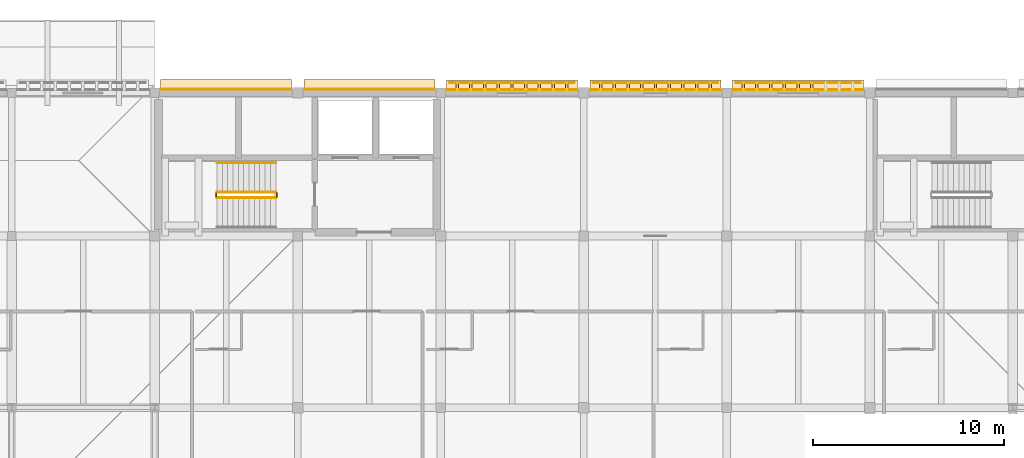
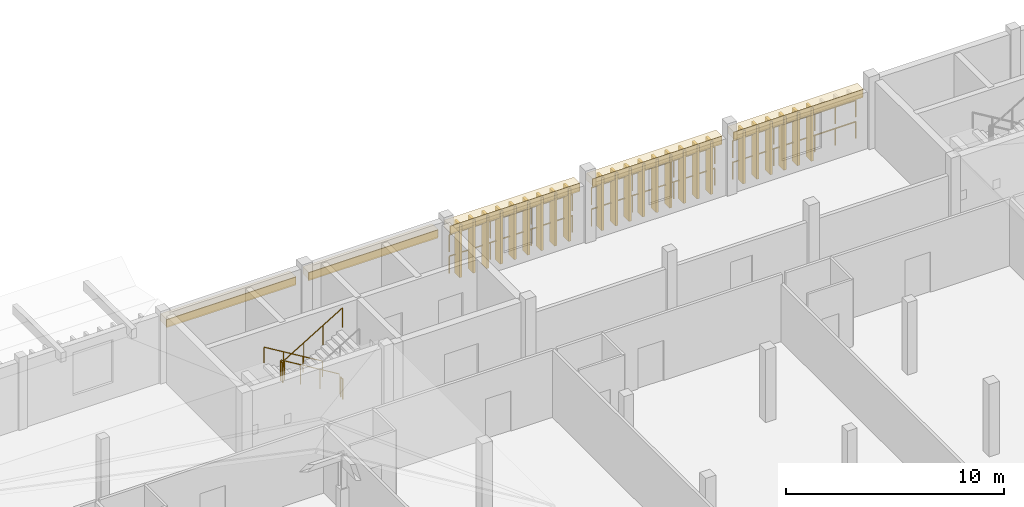
# One storey, part 43 of 48: 34 coverings, 11 railings.
"""IFC4 building model written with IfcOpenShell, lengths in metres."""

from ifc_helpers import new_model, si_unit, direction, frame, origin, origin_2d, place, context, subcontext, project, spatial, rectangle, circle, extrude, material, layer, layer_set, type_object, element, save


model = new_model("IFC4")

# Units and contexts
model_context = context("Model", 3, precision=1e-05, world=origin(), true_north=direction((0.0, 1.0)))
body_context = subcontext(model_context, "Body", "Model", "MODEL_VIEW")
ifc_project = project(units=[si_unit("LENGTHUNIT", "METRE"), si_unit("AREAUNIT", "SQUARE_METRE"), si_unit("VOLUMEUNIT", "CUBIC_METRE"), si_unit("PLANEANGLEUNIT", "RADIAN"), si_unit("MASSUNIT", "GRAM", prefix="KILO")], contexts=[model_context])

# Site, building, storey
site_placement = place(None, origin())
site = spatial("IfcSite", under=ifc_project, at=site_placement, CompositionType="ELEMENT")
building_placement = place(site_placement, origin())
building = spatial("IfcBuilding", under=site, at=building_placement, Name="Dalvernix Boulevard General Hospital", CompositionType="ELEMENT")
storey_placement = place(building_placement, frame((0.0, 0.0, 17.85009765625)))
storey = spatial("IfcBuildingStorey", under=building, at=storey_placement, Name="L04", CompositionType="ELEMENT", Elevation=17.85009765625)

# Coverings
ifc_material_1 = material(Name="Polychrome Catalan glazed ceramic spandrel tile panel")
ifc_layer_1 = layer(ifc_material_1, 0.044921875)
ifc_layer_set_1 = layer_set([ifc_layer_1], Name="Polychrome Catalan glazed ceramic spandrel tile panel (COV-CLD-01)")
covering_type_1 = type_object("IfcCoveringType", Name="COV-CLD-01", PredefinedType="CLADDING", material=ifc_layer_set_1)
for number, where, z_axis, x_axis, name in (
    (1, (63.737548828125, 117.195068359375, 2.69482421875), (0.0, 0.0, 1.0), (1.0, 0.0, 0.0), "L04 polychrome ceramic spandrel N 8-15"),
    (2, (71.262451171875, 117.195068359375, 2.69482421875), (0.0, 0.0, 1.0), (1.0, 0.0, 0.0), "L04 polychrome ceramic spandrel N 9-15"),
    (3, (78.737548828125, 117.169921875, 2.69482421875), (0.0, 0.0, 1.0), (1.0, 0.0, 0.0), "L04 polychrome ceramic spandrel N 10-15"),
    (4, (86.262451171875, 117.169921875, 2.69482421875), (0.0, 0.0, 1.0), (1.0, 0.0, 0.0), "L04 polychrome ceramic spandrel N 11-15"),
    (5, (93.737548828125, 117.169921875, 2.69482421875), (0.0, 0.0, 1.0), (1.0, 0.0, 0.0), "L04 polychrome ceramic spandrel N 12-15"),
):
    element("IfcCovering", number, at=place(storey_placement, frame(where, z_axis=z_axis, x_axis=x_axis)), inside=storey, type_object=covering_type_1, Name=name, PredefinedType="CLADDING", context=body_context, shape_type="SweptSolid", body=[
        extrude(rectangle(XDim=6.85498046875, YDim=0.044921875, at=origin_2d()), origin(), (0.0, 0.0, 1.0), 0.449951171875),
    ])
ifc_material_2 = material(Name="Dressed ochre limestone classical plinth, stringcourse and corbelled cornice", Category="masonry")
ifc_layer_2 = layer(ifc_material_2, 0.449951171875)
ifc_layer_set_2 = layer_set([ifc_layer_2], Name="Dressed ochre limestone classical plinth, stringcourse and corbelled cornice (COV-CRN-01)")
covering_type_2 = type_object("IfcCoveringType", Name="COV-CRN-01", PredefinedType="CLADDING", material=ifc_layer_set_2)
for number, where, z_axis, x_axis, name in (
    (6, (63.737548828125, 117.43505859375, 2.77001953125), (0.0, 0.0, 1.0), (1.0, 0.0, 0.0), "L04 classical corbelled cornice frieze N 8-15"),
    (7, (71.262451171875, 117.43505859375, 2.77001953125), (0.0, 0.0, 1.0), (1.0, 0.0, 0.0), "L04 classical corbelled cornice frieze N 9-15"),
    (8, (78.737548828125, 117.409912109375, 2.77001953125), (0.0, 0.0, 1.0), (1.0, 0.0, 0.0), "L04 classical corbelled cornice frieze N 10-15"),
    (9, (86.262451171875, 117.409912109375, 2.77001953125), (0.0, 0.0, 1.0), (1.0, 0.0, 0.0), "L04 classical corbelled cornice frieze N 11-15"),
    (10, (93.737548828125, 117.409912109375, 2.77001953125), (0.0, 0.0, 1.0), (1.0, 0.0, 0.0), "L04 classical corbelled cornice frieze N 12-15"),
):
    element("IfcCovering", number, at=place(storey_placement, frame(where, z_axis=z_axis, x_axis=x_axis)), inside=storey, type_object=covering_type_2, Name=name, PredefinedType="CLADDING", context=body_context, shape_type="SweptSolid", body=[
        extrude(rectangle(XDim=6.85498046875, YDim=0.56005859375, at=origin_2d()), origin(), (0.0, 0.0, 1.0), 0.39990234375),
    ])
ifc_material_3 = material(Name="Preservative-treated West African iroko timber lattice screen", Category="wood")
ifc_layer_3 = layer(ifc_material_3, 0.1201171875)
ifc_layer_set_3 = layer_set([ifc_layer_3], Name="Preservative-treated West African iroko timber lattice screen (COV-TSCR-01)")
covering_type_3 = type_object("IfcCoveringType", Name="COV-TSCR-01", PredefinedType="CLADDING", material=ifc_layer_set_3)
for number, where, z_axis, x_axis, name in (
    (11, (75.857421875, 117.3701171875, 0.10009765625), (0.0, 0.0, 1.0), (1.0, 0.0, 0.0), "L04 upper-ward timber screen blade N 10-15-1"),
    (12, (76.577392578125, 117.3701171875, 0.10009765625), (0.0, 0.0, 1.0), (1.0, 0.0, 0.0), "L04 upper-ward timber screen blade N 10-15-2"),
    (13, (77.297607421875, 117.3701171875, 0.10009765625), (0.0, 0.0, 1.0), (1.0, 0.0, 0.0), "L04 upper-ward timber screen blade N 10-15-3"),
    (14, (78.017578125, 117.3701171875, 0.10009765625), (0.0, 0.0, 1.0), (1.0, 0.0, 0.0), "L04 upper-ward timber screen blade N 10-15-4"),
    (15, (78.737548828125, 117.3701171875, 0.10009765625), (0.0, 0.0, 1.0), (1.0, 0.0, 0.0), "L04 upper-ward timber screen blade N 10-15-5"),
    (16, (79.45751953125, 117.3701171875, 0.10009765625), (0.0, 0.0, 1.0), (1.0, 0.0, 0.0), "L04 upper-ward timber screen blade N 10-15-6"),
    (17, (80.177490234375, 117.3701171875, 0.10009765625), (0.0, 0.0, 1.0), (1.0, 0.0, 0.0), "L04 upper-ward timber screen blade N 10-15-7"),
    (18, (80.8974609375, 117.3701171875, 0.10009765625), (0.0, 0.0, 1.0), (1.0, 0.0, 0.0), "L04 upper-ward timber screen blade N 10-15-8"),
    (19, (81.617431640625, 117.3701171875, 0.10009765625), (0.0, 0.0, 1.0), (1.0, 0.0, 0.0), "L04 upper-ward timber screen blade N 10-15-9"),
    (20, (83.382568359375, 117.3701171875, 0.10009765625), (0.0, 0.0, 1.0), (1.0, 0.0, 0.0), "L04 upper-ward timber screen blade N 11-15-1"),
    (21, (84.1025390625, 117.3701171875, 0.10009765625), (0.0, 0.0, 1.0), (1.0, 0.0, 0.0), "L04 upper-ward timber screen blade N 11-15-2"),
    (22, (84.822509765625, 117.3701171875, 0.10009765625), (0.0, 0.0, 1.0), (1.0, 0.0, 0.0), "L04 upper-ward timber screen blade N 11-15-3"),
    (23, (85.54248046875, 117.3701171875, 0.10009765625), (0.0, 0.0, 1.0), (1.0, 0.0, 0.0), "L04 upper-ward timber screen blade N 11-15-4"),
    (24, (86.262451171875, 117.3701171875, 0.10009765625), (0.0, 0.0, 1.0), (1.0, 0.0, 0.0), "L04 upper-ward timber screen blade N 11-15-5"),
    (25, (86.982421875, 117.3701171875, 0.10009765625), (0.0, 0.0, 1.0), (1.0, 0.0, 0.0), "L04 upper-ward timber screen blade N 11-15-6"),
    (26, (87.702392578125, 117.3701171875, 0.10009765625), (0.0, 0.0, 1.0), (1.0, 0.0, 0.0), "L04 upper-ward timber screen blade N 11-15-7"),
    (27, (88.422607421875, 117.3701171875, 0.10009765625), (0.0, 0.0, 1.0), (1.0, 0.0, 0.0), "L04 upper-ward timber screen blade N 11-15-8"),
    (28, (89.142578125, 117.3701171875, 0.10009765625), (0.0, 0.0, 1.0), (1.0, 0.0, 0.0), "L04 upper-ward timber screen blade N 11-15-9"),
    (29, (90.857421875, 117.3701171875, 0.10009765625), (0.0, 0.0, 1.0), (1.0, 0.0, 0.0), "L04 upper-ward timber screen blade N 12-15-1"),
    (30, (91.577392578125, 117.3701171875, 0.10009765625), (0.0, 0.0, 1.0), (1.0, 0.0, 0.0), "L04 upper-ward timber screen blade N 12-15-2"),
    (31, (92.297607421875, 117.3701171875, 0.10009765625), (0.0, 0.0, 1.0), (1.0, 0.0, 0.0), "L04 upper-ward timber screen blade N 12-15-3"),
    (32, (93.017578125, 117.3701171875, 0.10009765625), (0.0, 0.0, 1.0), (1.0, 0.0, 0.0), "L04 upper-ward timber screen blade N 12-15-4"),
    (33, (93.737548828125, 117.3701171875, 0.10009765625), (0.0, 0.0, 1.0), (1.0, 0.0, 0.0), "L04 upper-ward timber screen blade N 12-15-5"),
    (34, (94.45751953125, 117.3701171875, 0.10009765625), (0.0, 0.0, 1.0), (1.0, 0.0, 0.0), "L04 upper-ward timber screen blade N 12-15-6"),
):
    element("IfcCovering", number, at=place(storey_placement, frame(where, z_axis=z_axis, x_axis=x_axis)), inside=storey, type_object=covering_type_3, Name=name, PredefinedType="CLADDING", context=body_context, shape_type="SweptSolid", body=[
        extrude(rectangle(XDim=0.1298828125, YDim=0.47998046875, at=origin_2d()), origin(), (0.0, 0.0, 1.0), 2.969970703125),
    ])

# Railings
ifc_material_4 = material(Name="Brushed stainless steel balustrade", Category="steel")
railing_type_1 = type_object("IfcRailingType", Name="RL-GR-INT1", PredefinedType="BALUSTRADE", material=ifc_material_4)
railing_1_placement = place(storey_placement, frame((66.35009765625, 111.800048828125, 0.168701171875)))
element("IfcRailing", 35, at=railing_1_placement, inside=storey, type_object=railing_type_1, Name="L04 ST-03 stair guard 1", PredefinedType="BALUSTRADE", context=body_context, shape_type="SweptSolid", body=[
    extrude(circle(Radius=0.02392578125, at=origin_2d()), frame((0.0, 0.0, 1.09619140625), z_axis=(-0.856490936558, 0.0, 0.516162063304), x_axis=(0.0, -1.0, 0.0)), (0.0, 0.0, 1.0), 3.59619140625),
    extrude(circle(Radius=0.02099609375, at=origin_2d()), origin(), (0.0, 0.0, 1.0), 1.072021484375),
    extrude(circle(Radius=0.02099609375, at=origin_2d()), frame((-1.026611328125, 0.0, 0.61865234375)), (0.0, 0.0, 1.0), 1.072021484375),
    extrude(circle(Radius=0.02099609375, at=origin_2d()), frame((-2.053466796875, 0.0, 1.237548828125)), (0.0, 0.0, 1.0), 1.072021484375),
    extrude(circle(Radius=0.02099609375, at=origin_2d()), frame((-3.080078125, 0.0, 1.856201171875)), (0.0, 0.0, 1.0), 1.072021484375),
])
railing_2_placement = place(storey_placement, frame((63.219970703125, 111.75, 2.02490234375)))
element("IfcRailing", 36, at=railing_2_placement, inside=storey, type_object=railing_type_1, Name="L04 ST-03 stair guard 2", PredefinedType="BALUSTRADE", context=body_context, shape_type="SweptSolid", body=[
    extrude(circle(Radius=0.02392578125, at=origin_2d()), frame((0.0, 0.0, 1.09619140625), z_axis=(0.0, -1.0, 0.0), x_axis=(1.0, 0.0, 0.0)), (0.0, 0.0, 1.0), 0.199951171875),
    extrude(circle(Radius=0.02099609375, at=origin_2d()), origin(), (0.0, 0.0, 1.0), 1.072021484375),
    extrude(circle(Radius=0.02099609375, at=origin_2d()), frame((0.0, -0.199951171875, 0.0)), (0.0, 0.0, 1.0), 1.072021484375),
])
railing_3_placement = place(storey_placement, frame((63.27001953125, 111.5, 2.193603515625)))
element("IfcRailing", 37, at=railing_3_placement, inside=storey, type_object=railing_type_1, Name="L04 ST-03 stair guard 3", PredefinedType="BALUSTRADE", context=body_context, shape_type="SweptSolid", body=[
    extrude(circle(Radius=0.02392578125, at=origin_2d()), frame((0.0, 0.0, 1.09619140625), z_axis=(0.856490936558, 0.0, 0.516162063304), x_axis=(0.0, 1.0, 0.0)), (0.0, 0.0, 1.0), 3.59619140625),
    extrude(circle(Radius=0.02099609375, at=origin_2d()), origin(), (0.0, 0.0, 1.0), 1.072021484375),
    extrude(circle(Radius=0.02099609375, at=origin_2d()), frame((1.026611328125, 0.0, 0.61865234375)), (0.0, 0.0, 1.0), 1.072021484375),
    extrude(circle(Radius=0.02099609375, at=origin_2d()), frame((2.053466796875, 0.0, 1.237548828125)), (0.0, 0.0, 1.0), 1.072021484375),
    extrude(circle(Radius=0.02099609375, at=origin_2d()), frame((3.080078125, 0.0, 1.856201171875)), (0.0, 0.0, 1.0), 1.072021484375),
])
railing_4_placement = place(storey_placement, frame((66.39990234375, 111.75, 0.0)))
element("IfcRailing", 38, at=railing_4_placement, inside=storey, type_object=railing_type_1, Name="L04 ST-03 stair guard 4", PredefinedType="BALUSTRADE", context=body_context, shape_type="SweptSolid", body=[
    extrude(circle(Radius=0.02392578125, at=origin_2d()), frame((0.0, 0.0, 1.09619140625), z_axis=(0.0, -1.0, 0.0), x_axis=(1.0, 0.0, 0.0)), (0.0, 0.0, 1.0), 0.199951171875),
    extrude(circle(Radius=0.02099609375, at=origin_2d()), origin(), (0.0, 0.0, 1.0), 1.072021484375),
    extrude(circle(Radius=0.02099609375, at=origin_2d()), frame((0.0, -0.199951171875, 0.0)), (0.0, 0.0, 1.0), 1.072021484375),
])
ifc_material_5 = material(Name="Brushed stainless steel wall handrail", Category="steel")
railing_type_2 = type_object("IfcRailingType", Name="RL-HR-INT1", PredefinedType="HANDRAIL", material=ifc_material_5)
railing_5_placement = place(storey_placement, frame((66.35009765625, 113.35009765625, 0.168701171875)))
element("IfcRailing", 39, at=railing_5_placement, inside=storey, type_object=railing_type_2, Name="L04 ST-03 stair handrail 1", PredefinedType="HANDRAIL", context=body_context, shape_type="SweptSolid", body=[
    extrude(circle(Radius=0.02392578125, at=origin_2d()), frame((0.0, 0.0, 0.8759765625), z_axis=(-0.856490936558, 0.0, 0.516162063304), x_axis=(0.0, -1.0, 0.0)), (0.0, 0.0, 1.0), 3.59619140625),
    extrude(circle(Radius=0.02099609375, at=origin_2d()), origin(), (0.0, 0.0, 1.0), 0.851806640625),
    extrude(circle(Radius=0.02099609375, at=origin_2d()), frame((-1.026611328125, 0.0, 0.61865234375)), (0.0, 0.0, 1.0), 0.851806640625),
    extrude(circle(Radius=0.02099609375, at=origin_2d()), frame((-2.053466796875, 0.0, 1.237548828125)), (0.0, 0.0, 1.0), 0.851806640625),
    extrude(circle(Radius=0.02099609375, at=origin_2d()), frame((-3.080078125, 0.0, 1.856201171875)), (0.0, 0.0, 1.0), 0.851806640625),
])
ifc_material_6 = material(Name="Preservative-treated iroko timber horizontal screen louver rail", Category="wood")
railing_type_3 = type_object("IfcRailingType", Name="RL-TSCR-01", PredefinedType="BALUSTRADE", material=ifc_material_6)
for number, where, name in (
    (40, (75.47998046875, 117.530029296875, 0.25), "L04 upper-ward horizontal timber screen louver N 10-15-1"),
    (41, (75.47998046875, 117.530029296875, 1.449951171875), "L04 upper-ward horizontal timber screen louver N 10-15-2"),
    (42, (83.0048828125, 117.530029296875, 0.25), "L04 upper-ward horizontal timber screen louver N 11-15-1"),
    (43, (83.0048828125, 117.530029296875, 1.449951171875), "L04 upper-ward horizontal timber screen louver N 11-15-2"),
    (44, (90.47998046875, 117.530029296875, 0.25), "L04 upper-ward horizontal timber screen louver N 12-15-1"),
    (45, (90.47998046875, 117.530029296875, 1.449951171875), "L04 upper-ward horizontal timber screen louver N 12-15-2"),
):
    element("IfcRailing", number, at=place(storey_placement, frame(where)), inside=storey, type_object=railing_type_3, Name=name, PredefinedType="BALUSTRADE", context=body_context, shape_type="SweptSolid", body=[
        extrude(circle(Radius=0.02392578125, at=origin_2d()), frame((0.0, 0.0, 0.92578125), z_axis=(1.0, 0.0, 0.0), x_axis=(0.0, 1.0, 0.0)), (0.0, 0.0, 1.0), 6.51513671875),
        extrude(circle(Radius=0.02099609375, at=origin_2d()), origin(), (0.0, 0.0, 1.0), 0.90185546875),
        extrude(circle(Radius=0.02099609375, at=origin_2d()), frame((1.0859375, 0.0, 0.0)), (0.0, 0.0, 1.0), 0.90185546875),
        extrude(circle(Radius=0.02099609375, at=origin_2d()), frame((2.171630859375, 0.0, 0.0)), (0.0, 0.0, 1.0), 0.90185546875),
        extrude(circle(Radius=0.02099609375, at=origin_2d()), frame((3.257568359375, 0.0, 0.0)), (0.0, 0.0, 1.0), 0.90185546875),
        extrude(circle(Radius=0.02099609375, at=origin_2d()), frame((4.343505859375, 0.0, 0.0)), (0.0, 0.0, 1.0), 0.90185546875),
        extrude(circle(Radius=0.02099609375, at=origin_2d()), frame((5.42919921875, 0.0, 0.0)), (0.0, 0.0, 1.0), 0.90185546875),
        extrude(circle(Radius=0.02099609375, at=origin_2d()), frame((6.51513671875, 0.0, 0.0)), (0.0, 0.0, 1.0), 0.90185546875),
    ])

save(model, "model.ifc")
